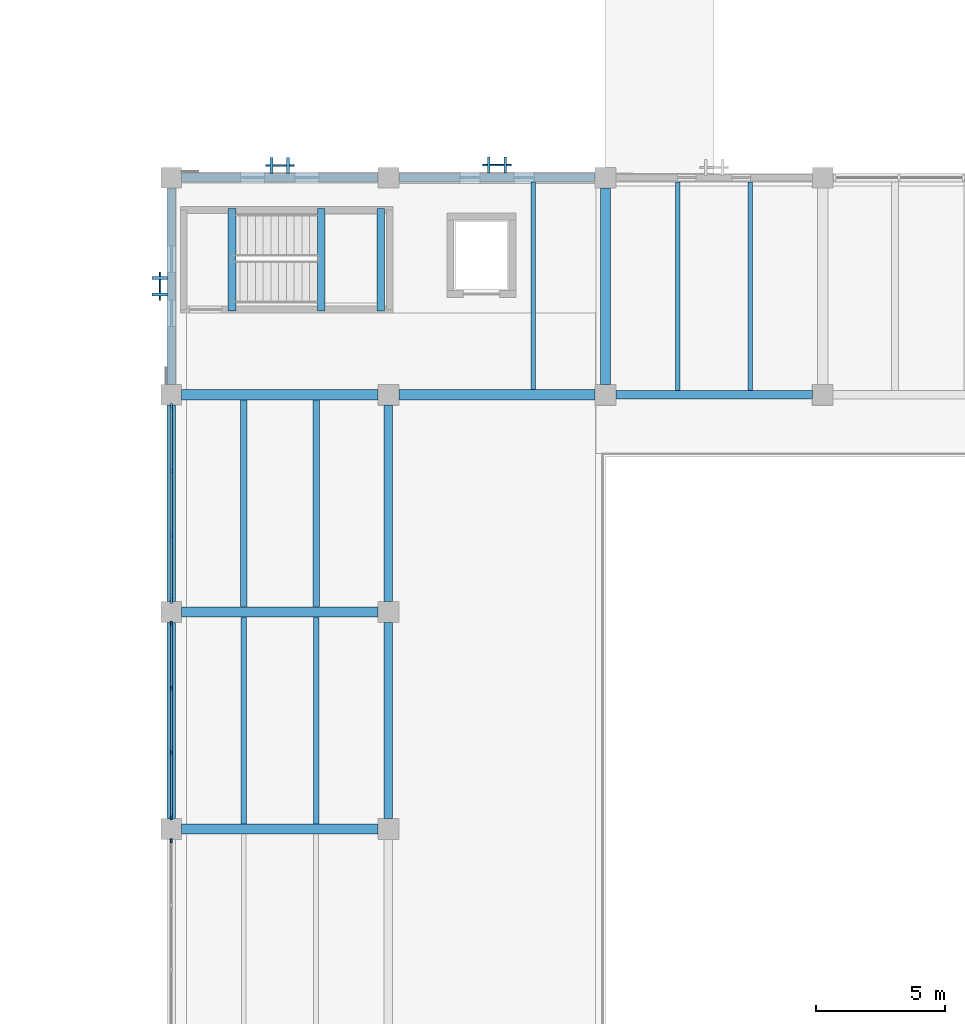
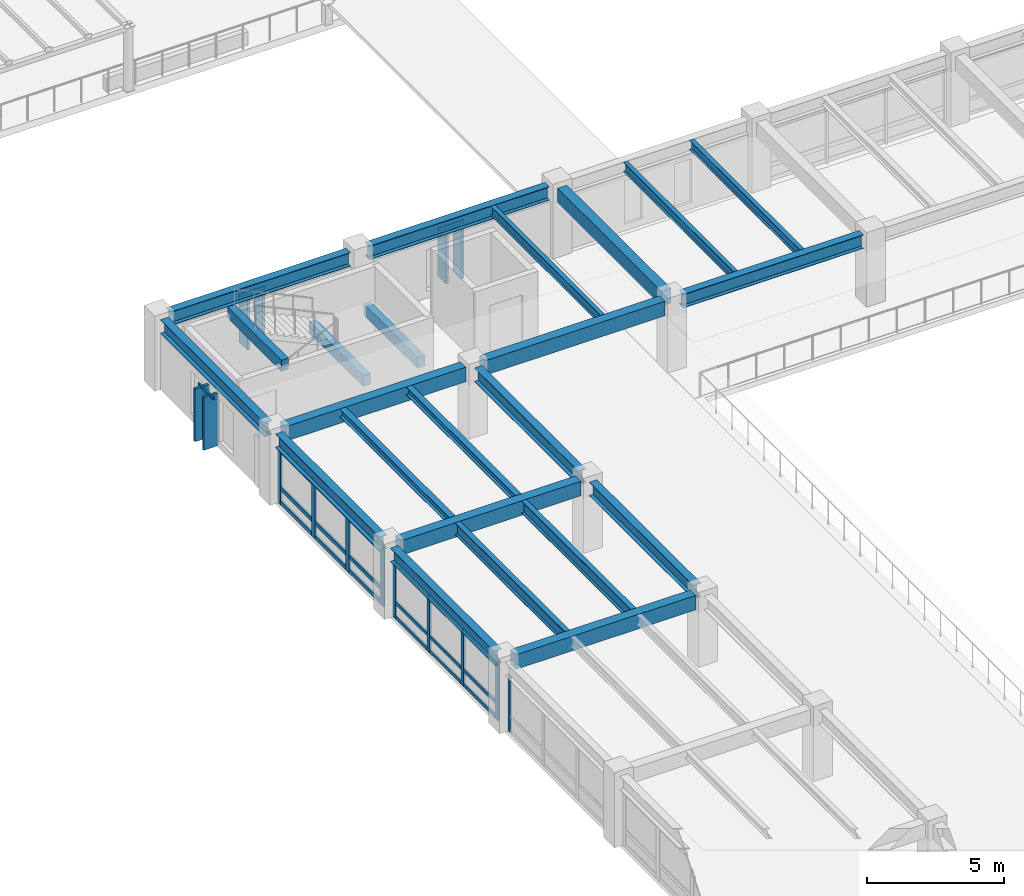
# One storey, part 10 of 111: 36 members, 23 beams, 6 elements without a shape of their own.
"""IFC4 building model written with IfcOpenShell, lengths in metres."""

from ifc_helpers import new_model, si_unit, direction, frame, origin, origin_2d, place, context, subcontext, project, spatial, rectangle, i_section, extrude, material, material_profile, profile_set, type_object, element, aggregate, save


model = new_model("IFC4")

# Units and contexts
model_context = context("Model", 3, precision=1e-05, world=origin(), true_north=direction((0.0, 1.0)))
body_context = subcontext(model_context, "Body", "Model", "MODEL_VIEW")
ifc_project = project(units=[si_unit("LENGTHUNIT", "METRE"), si_unit("AREAUNIT", "SQUARE_METRE"), si_unit("VOLUMEUNIT", "CUBIC_METRE"), si_unit("PLANEANGLEUNIT", "RADIAN"), si_unit("MASSUNIT", "GRAM", prefix="KILO")], contexts=[model_context])

# Site, building, storey
site_placement = place(None, origin())
site = spatial("IfcSite", under=ifc_project, at=site_placement, CompositionType="ELEMENT")
building_placement = place(site_placement, origin())
building = spatial("IfcBuilding", under=site, at=building_placement, Name="Cumbredor Promenade Congress Hotel", CompositionType="ELEMENT")
storey_placement = place(building_placement, frame((0.0, 0.0, 15.1201171875)))
storey = spatial("IfcBuildingStorey", under=building, at=storey_placement, Name="L04", CompositionType="ELEMENT", Elevation=15.1201171875)

# Beams
ifc_material_1 = material(Name="Concrete C40/50", Category="concrete")
ifc_material_profile_1 = material_profile(ifc_material_1, rectangle(XDim=0.39990234375, YDim=0.64990234375, at=origin_2d()), Name="RC BEAM 400x650")
ifc_profile_set_1 = profile_set([ifc_material_profile_1], Name="Concrete C40/50")
beam_type_1 = type_object("IfcBeamType", Name="BM-RC-400x650", PredefinedType="BEAM", material=ifc_profile_set_1)
for number, where, z_axis, x_axis, name in (
    (1, (8.800048828125, 42.0, 2.794921875), (1.0, 0.0, 0.0), (0.0, 1.0, 0.0), "L05 X-Grid Beam 016"),
    (2, (8.800048828125, 50.39990234375, 2.794921875), (1.0, 0.0, 0.0), (0.0, 1.0, 0.0), "L05 X-Grid Beam 018"),
    (3, (8.800048828125, 58.800048828125, 2.794921875), (1.0, 0.0, 0.0), (0.0, 1.0, 0.0), "L05 X-Grid Beam 020"),
):
    element("IfcBeam", number, at=place(storey_placement, frame(where, z_axis=z_axis, x_axis=x_axis)), inside=storey, type_object=beam_type_1, Name=name, PredefinedType="BEAM", context=body_context, shape_type="SweptSolid", body=[
        extrude(rectangle(XDim=0.39990234375, YDim=0.64990234375, at=origin_2d()), origin(), (0.0, 0.0, 1.0), 7.599853515625),
    ])
for number, where, z_axis, x_axis, name in (
    (4, (17.199951171875, 58.800048828125, 2.794921875), (1.0, 0.0, 0.0), (0.0, 1.0, 0.0), "L05 X-Grid Beam 037"),
    (5, (25.199951171875, 59.199951171875, 2.794921875), (0.0, 1.0, 0.0), (-1.0, 0.0, 0.0), "L05 Y-Grid Beam 048"),
):
    element("IfcBeam", number, at=place(storey_placement, frame(where, z_axis=z_axis, x_axis=x_axis)), inside=storey, type_object=beam_type_1, Name=name, PredefinedType="BEAM", context=body_context, shape_type="SweptSolid", body=[
        extrude(rectangle(XDim=0.39990234375, YDim=0.64990234375, at=origin_2d()), origin(), (0.0, 0.0, 1.0), 7.60009765625),
    ])
ifc_material_2 = material(Name="Steel ASTM A992 Grade 50", Category="steel")
ifc_material_profile_2 = material_profile(ifc_material_2, i_section(OverallWidth=0.323974609375, OverallDepth=0.611083984375, WebThickness=0.0126953125, FlangeThickness=0.01904296875, at=origin_2d()), Name="W24X104")
ifc_profile_set_2 = profile_set([ifc_material_profile_2], Name="Steel ASTM A992 Grade 50")
beam_type_2 = type_object("IfcBeamType", Name="BM-W24X104", PredefinedType="BEAM", material=ifc_profile_set_2)
beam_1_placement = place(storey_placement, frame((8.800048828125, 67.199951171875, 2.814453125), z_axis=(1.0, 0.0, 0.0), x_axis=(0.0, 1.0, 0.0)))
element("IfcBeam", 6, at=beam_1_placement, inside=storey, type_object=beam_type_2, Name="L05 X-Grid Beam 022", PredefinedType="BEAM", context=body_context, shape_type="SweptSolid", body=[
    extrude(i_section(OverallWidth=0.323974609375, OverallDepth=0.611083984375, WebThickness=0.0126953125, FlangeThickness=0.01904296875, at=origin_2d()), origin(), (0.0, 0.0, 1.0), 7.599853515625),
])
beam_2_placement = place(storey_placement, frame((17.199951171875, 67.199951171875, 2.814453125), z_axis=(1.0, 0.0, 0.0), x_axis=(0.0, 1.0, 0.0)))
element("IfcBeam", 7, at=beam_2_placement, inside=storey, type_object=beam_type_2, Name="L05 X-Grid Beam 038", PredefinedType="BEAM", context=body_context, shape_type="SweptSolid", body=[
    extrude(i_section(OverallWidth=0.323974609375, OverallDepth=0.611083984375, WebThickness=0.0126953125, FlangeThickness=0.01904296875, at=origin_2d()), origin(), (0.0, 0.0, 1.0), 7.60009765625),
])
beam_3_placement = place(storey_placement, frame((25.60009765625, 58.800048828125, 2.814453125), z_axis=(1.0, 0.0, 0.0), x_axis=(0.0, 1.0, 0.0)))
element("IfcBeam", 8, at=beam_3_placement, inside=storey, type_object=beam_type_2, Name="L05 X-Grid Beam 047", PredefinedType="BEAM", context=body_context, shape_type="SweptSolid", body=[
    extrude(i_section(OverallWidth=0.323974609375, OverallDepth=0.611083984375, WebThickness=0.0126953125, FlangeThickness=0.01904296875, at=origin_2d()), origin(), (0.0, 0.0, 1.0), 7.599853515625),
])

# Curtain wall, member
ifc_material_3 = material(Name="Thermally broken anodized aluminium and low-E glass", Category="aluminium")
curtain_wall_type_1 = type_object("IfcCurtainWallType", Name="Unitised Bronze Curtain Wall CW-01", PredefinedType="NOTDEFINED", material=ifc_material_3)
curtain_wall_1_placement = place(storey_placement, origin())
curtain_wall_1 = element("IfcCurtainWall", 9, at=curtain_wall_1_placement, inside=storey, type_object=curtain_wall_type_1, Name="L04 Plenary Congress Hall West Curtain Wall 4", PredefinedType="NOTDEFINED")
ifc_material_4 = material(Name="Thermally broken anodized aluminium", Category="aluminium")
ifc_material_profile_3 = material_profile(ifc_material_4, rectangle(XDim=0.06494140625, YDim=0.159912109375, at=origin_2d()), Name="ALU MULLION 65x160")
ifc_profile_set_3 = profile_set([ifc_material_profile_3], Name="Thermally broken anodized aluminium")
member_type_1 = type_object("IfcMemberType", Name="Curtain Wall Mullion ML-01", PredefinedType="MULLION", material=ifc_profile_set_3)
member_1_placement = place(storey_placement, frame((8.39990234375, 41.544921875, -0.008056640625), z_axis=(0.0, 0.0, 1.0), x_axis=(1.0, 0.0, 0.0)))
member_1 = element("IfcMember", 10, at=member_1_placement, type_object=member_type_1, Name="L04 Plenary Congress Hall West Curtain Wall 4 Mullion 4", PredefinedType="MULLION", context=body_context, shape_type="SweptSolid", body=[
    extrude(rectangle(XDim=0.06494140625, YDim=0.159912109375, at=origin_2d()), origin(), (0.0, 0.0, 1.0), 2.510009765625),
])
aggregate(curtain_wall_1, [member_1])

# Curtain wall, members
curtain_wall_2_placement = place(storey_placement, origin())
curtain_wall_2 = element("IfcCurtainWall", 11, at=curtain_wall_2_placement, inside=storey, type_object=curtain_wall_type_1, Name="L04 Plenary Congress Hall West Curtain Wall 5", PredefinedType="NOTDEFINED")
ifc_material_profile_4 = material_profile(ifc_material_4, rectangle(XDim=0.074951171875, YDim=0.199951171875, at=origin_2d()), Name="ALU MULLION 75x200")
ifc_profile_set_4 = profile_set([ifc_material_profile_4], Name="Thermally broken anodized aluminium")
member_type_2 = type_object("IfcMemberType", Name="Curtain Wall Mullion ML-02", PredefinedType="MULLION", material=ifc_profile_set_4)
member_2_placement = place(storey_placement, frame((8.39990234375, 42.455078125, -0.008056640625), z_axis=(0.0, 0.0, 1.0), x_axis=(1.0, 0.0, 0.0)))
member_2 = element("IfcMember", 12, at=member_2_placement, type_object=member_type_2, Name="L04 Plenary Congress Hall West Curtain Wall 5 Mullion 1", PredefinedType="MULLION", context=body_context, shape_type="SweptSolid", body=[
    extrude(rectangle(XDim=0.074951171875, YDim=0.199951171875, at=origin_2d()), origin(), (0.0, 0.0, 1.0), 2.510009765625),
])
member_3_placement = place(storey_placement, frame((8.39990234375, 44.95166015625, -0.008056640625), z_axis=(0.0, 0.0, 1.0), x_axis=(1.0, 0.0, 0.0)))
member_3 = element("IfcMember", 13, at=member_3_placement, type_object=member_type_2, Name="L04 Plenary Congress Hall West Curtain Wall 5 Mullion 2", PredefinedType="MULLION", context=body_context, shape_type="SweptSolid", body=[
    extrude(rectangle(XDim=0.074951171875, YDim=0.199951171875, at=origin_2d()), origin(), (0.0, 0.0, 1.0), 2.510009765625),
])
member_4_placement = place(storey_placement, frame((8.39990234375, 47.4482421875, -0.008056640625), z_axis=(0.0, 0.0, 1.0), x_axis=(1.0, 0.0, 0.0)))
member_4 = element("IfcMember", 14, at=member_4_placement, type_object=member_type_2, Name="L04 Plenary Congress Hall West Curtain Wall 5 Mullion 3", PredefinedType="MULLION", context=body_context, shape_type="SweptSolid", body=[
    extrude(rectangle(XDim=0.074951171875, YDim=0.199951171875, at=origin_2d()), origin(), (0.0, 0.0, 1.0), 2.510009765625),
])
member_5_placement = place(storey_placement, frame((8.39990234375, 49.945068359375, -0.008056640625), z_axis=(0.0, 0.0, 1.0), x_axis=(1.0, 0.0, 0.0)))
member_5 = element("IfcMember", 15, at=member_5_placement, type_object=member_type_2, Name="L04 Plenary Congress Hall West Curtain Wall 5 Mullion 4", PredefinedType="MULLION", context=body_context, shape_type="SweptSolid", body=[
    extrude(rectangle(XDim=0.074951171875, YDim=0.199951171875, at=origin_2d()), origin(), (0.0, 0.0, 1.0), 2.510009765625),
])

curtain_wall_3_placement = place(storey_placement, origin())
curtain_wall_3 = element("IfcCurtainWall", 16, at=curtain_wall_3_placement, inside=storey, type_object=curtain_wall_type_1, Name="L04 Plenary Congress Hall West Curtain Wall 6", PredefinedType="NOTDEFINED")
ifc_material_profile_5 = material_profile(ifc_material_4, rectangle(XDim=0.080078125, YDim=0.239990234375, at=origin_2d()), Name="ALU MULLION 80x240")
ifc_profile_set_5 = profile_set([ifc_material_profile_5], Name="Thermally broken anodized aluminium")
member_type_3 = type_object("IfcMemberType", Name="Curtain Wall Mullion ML-03", PredefinedType="MULLION", material=ifc_profile_set_5)
member_6_placement = place(storey_placement, frame((8.39990234375, 50.85498046875, -0.008056640625), z_axis=(0.0, 0.0, 1.0), x_axis=(1.0, 0.0, 0.0)))
member_6 = element("IfcMember", 17, at=member_6_placement, type_object=member_type_3, Name="L04 Plenary Congress Hall West Curtain Wall 6 Mullion 1", PredefinedType="MULLION", context=body_context, shape_type="SweptSolid", body=[
    extrude(rectangle(XDim=0.080078125, YDim=0.239990234375, at=origin_2d()), origin(), (0.0, 0.0, 1.0), 2.510009765625),
])
member_7_placement = place(storey_placement, frame((8.39990234375, 53.351806640625, -0.008056640625), z_axis=(0.0, 0.0, 1.0), x_axis=(1.0, 0.0, 0.0)))
member_7 = element("IfcMember", 18, at=member_7_placement, type_object=member_type_3, Name="L04 Plenary Congress Hall West Curtain Wall 6 Mullion 2", PredefinedType="MULLION", context=body_context, shape_type="SweptSolid", body=[
    extrude(rectangle(XDim=0.080078125, YDim=0.239990234375, at=origin_2d()), origin(), (0.0, 0.0, 1.0), 2.510009765625),
])
member_8_placement = place(storey_placement, frame((8.39990234375, 55.848388671875, -0.008056640625), z_axis=(0.0, 0.0, 1.0), x_axis=(1.0, 0.0, 0.0)))
member_8 = element("IfcMember", 19, at=member_8_placement, type_object=member_type_3, Name="L04 Plenary Congress Hall West Curtain Wall 6 Mullion 3", PredefinedType="MULLION", context=body_context, shape_type="SweptSolid", body=[
    extrude(rectangle(XDim=0.080078125, YDim=0.239990234375, at=origin_2d()), origin(), (0.0, 0.0, 1.0), 2.510009765625),
])
member_9_placement = place(storey_placement, frame((8.39990234375, 58.344970703125, -0.008056640625), z_axis=(0.0, 0.0, 1.0), x_axis=(1.0, 0.0, 0.0)))
member_9 = element("IfcMember", 20, at=member_9_placement, type_object=member_type_3, Name="L04 Plenary Congress Hall West Curtain Wall 6 Mullion 4", PredefinedType="MULLION", context=body_context, shape_type="SweptSolid", body=[
    extrude(rectangle(XDim=0.080078125, YDim=0.239990234375, at=origin_2d()), origin(), (0.0, 0.0, 1.0), 2.510009765625),
])

# Curtain wall, member
curtain_wall_type_2 = type_object("IfcCurtainWallType", Name="Solar Brise-Soleil Screen Assembly CW-07", PredefinedType="NOTDEFINED", material=ifc_material_3)
curtain_wall_4_placement = place(storey_placement, origin())
curtain_wall_4 = element("IfcCurtainWall", 21, at=curtain_wall_4_placement, inside=storey, type_object=curtain_wall_type_2, Name="L04 Pier Brise-Soleil Screen 0709", PredefinedType="NOTDEFINED")
ifc_material_profile_6 = material_profile(ifc_material_4, rectangle(XDim=0.06494140625, YDim=0.1298828125, at=origin_2d()), Name="ALU TRANSOM 65x130")
ifc_profile_set_6 = profile_set([ifc_material_profile_6], Name="Thermally broken anodized aluminium")
member_type_4 = type_object("IfcMemberType", Name="Curtain Wall Transom TR-01", PredefinedType="USERDEFINED", material=ifc_profile_set_6)
member_10_placement = place(storey_placement, frame((12.050048828125, 67.672607421875, 2.333984375), z_axis=(1.0, 0.0, 0.0), x_axis=(0.0, 1.0, 0.0)))
member_10 = element("IfcMember", 22, at=member_10_placement, type_object=member_type_4, Name="L04 Pier Brise-Soleil Header 0711", ObjectType="TRANSOM", PredefinedType="USERDEFINED", context=body_context, shape_type="SweptSolid", body=[
    extrude(rectangle(XDim=0.06494140625, YDim=0.1298828125, at=origin_2d()), origin(), (0.0, 0.0, 1.0), 1.099853515625),
])

curtain_wall_5_placement = place(storey_placement, origin())
curtain_wall_5 = element("IfcCurtainWall", 23, at=curtain_wall_5_placement, inside=storey, type_object=curtain_wall_type_2, Name="L04 Pier Brise-Soleil Screen 0712", PredefinedType="NOTDEFINED")
member_11_placement = place(storey_placement, frame((20.449951171875, 67.68505859375, 2.333984375), z_axis=(1.0, 0.0, 0.0), x_axis=(0.0, 1.0, 0.0)))
member_11 = element("IfcMember", 24, at=member_11_placement, type_object=member_type_4, Name="L04 Pier Brise-Soleil Header 0714", ObjectType="TRANSOM", PredefinedType="USERDEFINED", context=body_context, shape_type="SweptSolid", body=[
    extrude(rectangle(XDim=0.06494140625, YDim=0.1298828125, at=origin_2d()), origin(), (0.0, 0.0, 1.0), 1.10009765625),
])

curtain_wall_6_placement = place(storey_placement, origin())
curtain_wall_6 = element("IfcCurtainWall", 25, at=curtain_wall_6_placement, inside=storey, type_object=curtain_wall_type_2, Name="L04 Pier Brise-Soleil Screen 0727", PredefinedType="NOTDEFINED")
member_12_placement = place(storey_placement, frame((7.965087890625, 62.449951171875, 2.333984375), z_axis=(0.0, 1.0, 0.0), x_axis=(-1.0, 0.0, 0.0)))
member_12 = element("IfcMember", 26, at=member_12_placement, type_object=member_type_4, Name="L04 Pier Brise-Soleil Header 0729", ObjectType="TRANSOM", PredefinedType="USERDEFINED", context=body_context, shape_type="SweptSolid", body=[
    extrude(rectangle(XDim=0.06494140625, YDim=0.1298828125, at=origin_2d()), origin(), (0.0, 0.0, 1.0), 1.10009765625),
])

# Member
ifc_material_profile_7 = material_profile(ifc_material_4, rectangle(XDim=0.074951171875, YDim=0.14990234375, at=origin_2d()), Name="ALU TRANSOM 75x150")
ifc_profile_set_7 = profile_set([ifc_material_profile_7], Name="Thermally broken anodized aluminium")
member_type_5 = type_object("IfcMemberType", Name="Curtain Wall Transom TR-02", PredefinedType="USERDEFINED", material=ifc_profile_set_7)
member_13_placement = place(storey_placement, frame((8.39990234375, 42.492431640625, 0.06982421875), z_axis=(0.0, 1.0, 0.0), x_axis=(-1.0, 0.0, 0.0)))
member_13 = element("IfcMember", 27, at=member_13_placement, type_object=member_type_5, Name="L04 Plenary Congress Hall West Curtain Wall 5 Transom 1.1", ObjectType="TRANSOM", PredefinedType="USERDEFINED", context=body_context, shape_type="SweptSolid", body=[
    extrude(rectangle(XDim=0.074951171875, YDim=0.14990234375, at=origin_2d()), origin(), (0.0, 0.0, 1.0), 2.421875),
])

member_14_placement = place(storey_placement, frame((8.39990234375, 42.492431640625, 0.719970703125), z_axis=(0.0, 1.0, 0.0), x_axis=(-1.0, 0.0, 0.0)))
member_14 = element("IfcMember", 28, at=member_14_placement, type_object=member_type_5, Name="L04 Plenary Congress Hall West Curtain Wall 5 Transom 1.2", ObjectType="TRANSOM", PredefinedType="USERDEFINED", context=body_context, shape_type="SweptSolid", body=[
    extrude(rectangle(XDim=0.074951171875, YDim=0.14990234375, at=origin_2d()), origin(), (0.0, 0.0, 1.0), 2.421875),
])

member_15_placement = place(storey_placement, frame((8.39990234375, 42.492431640625, 2.419921875), z_axis=(0.0, 1.0, 0.0), x_axis=(-1.0, 0.0, 0.0)))
member_15 = element("IfcMember", 29, at=member_15_placement, type_object=member_type_5, Name="L04 Plenary Congress Hall West Curtain Wall 5 Transom 1.3", ObjectType="TRANSOM", PredefinedType="USERDEFINED", context=body_context, shape_type="SweptSolid", body=[
    extrude(rectangle(XDim=0.074951171875, YDim=0.14990234375, at=origin_2d()), origin(), (0.0, 0.0, 1.0), 2.421875),
])

member_16_placement = place(storey_placement, frame((8.39990234375, 44.9892578125, 0.06982421875), z_axis=(0.0, 1.0, 0.0), x_axis=(-1.0, 0.0, 0.0)))
member_16 = element("IfcMember", 30, at=member_16_placement, type_object=member_type_5, Name="L04 Plenary Congress Hall West Curtain Wall 5 Transom 2.1", ObjectType="TRANSOM", PredefinedType="USERDEFINED", context=body_context, shape_type="SweptSolid", body=[
    extrude(rectangle(XDim=0.074951171875, YDim=0.14990234375, at=origin_2d()), origin(), (0.0, 0.0, 1.0), 2.421630859375),
])

member_17_placement = place(storey_placement, frame((8.39990234375, 44.9892578125, 0.719970703125), z_axis=(0.0, 1.0, 0.0), x_axis=(-1.0, 0.0, 0.0)))
member_17 = element("IfcMember", 31, at=member_17_placement, type_object=member_type_5, Name="L04 Plenary Congress Hall West Curtain Wall 5 Transom 2.2", ObjectType="TRANSOM", PredefinedType="USERDEFINED", context=body_context, shape_type="SweptSolid", body=[
    extrude(rectangle(XDim=0.074951171875, YDim=0.14990234375, at=origin_2d()), origin(), (0.0, 0.0, 1.0), 2.421630859375),
])

member_18_placement = place(storey_placement, frame((8.39990234375, 44.9892578125, 2.419921875), z_axis=(0.0, 1.0, 0.0), x_axis=(-1.0, 0.0, 0.0)))
member_18 = element("IfcMember", 32, at=member_18_placement, type_object=member_type_5, Name="L04 Plenary Congress Hall West Curtain Wall 5 Transom 2.3", ObjectType="TRANSOM", PredefinedType="USERDEFINED", context=body_context, shape_type="SweptSolid", body=[
    extrude(rectangle(XDim=0.074951171875, YDim=0.14990234375, at=origin_2d()), origin(), (0.0, 0.0, 1.0), 2.421630859375),
])

member_19_placement = place(storey_placement, frame((8.39990234375, 47.48583984375, 0.06982421875), z_axis=(0.0, 1.0, 0.0), x_axis=(-1.0, 0.0, 0.0)))
member_19 = element("IfcMember", 33, at=member_19_placement, type_object=member_type_5, Name="L04 Plenary Congress Hall West Curtain Wall 5 Transom 3.1", ObjectType="TRANSOM", PredefinedType="USERDEFINED", context=body_context, shape_type="SweptSolid", body=[
    extrude(rectangle(XDim=0.074951171875, YDim=0.14990234375, at=origin_2d()), origin(), (0.0, 0.0, 1.0), 2.421630859375),
])

member_20_placement = place(storey_placement, frame((8.39990234375, 47.48583984375, 0.719970703125), z_axis=(0.0, 1.0, 0.0), x_axis=(-1.0, 0.0, 0.0)))
member_20 = element("IfcMember", 34, at=member_20_placement, type_object=member_type_5, Name="L04 Plenary Congress Hall West Curtain Wall 5 Transom 3.2", ObjectType="TRANSOM", PredefinedType="USERDEFINED", context=body_context, shape_type="SweptSolid", body=[
    extrude(rectangle(XDim=0.074951171875, YDim=0.14990234375, at=origin_2d()), origin(), (0.0, 0.0, 1.0), 2.421630859375),
])

member_21_placement = place(storey_placement, frame((8.39990234375, 47.48583984375, 2.419921875), z_axis=(0.0, 1.0, 0.0), x_axis=(-1.0, 0.0, 0.0)))
member_21 = element("IfcMember", 35, at=member_21_placement, type_object=member_type_5, Name="L04 Plenary Congress Hall West Curtain Wall 5 Transom 3.3", ObjectType="TRANSOM", PredefinedType="USERDEFINED", context=body_context, shape_type="SweptSolid", body=[
    extrude(rectangle(XDim=0.074951171875, YDim=0.14990234375, at=origin_2d()), origin(), (0.0, 0.0, 1.0), 2.421630859375),
])

aggregate(curtain_wall_2, [member_2, member_3, member_4, member_5, member_13, member_14, member_15, member_16, member_17, member_18, member_19, member_20, member_21])

ifc_material_profile_8 = material_profile(ifc_material_4, rectangle(XDim=0.080078125, YDim=0.179931640625, at=origin_2d()), Name="ALU TRANSOM 80x180")
ifc_profile_set_8 = profile_set([ifc_material_profile_8], Name="Thermally broken anodized aluminium")
member_type_6 = type_object("IfcMemberType", Name="Curtain Wall Transom TR-03", PredefinedType="USERDEFINED", material=ifc_profile_set_8)
member_22_placement = place(storey_placement, frame((8.39990234375, 50.89501953125, 0.08984375), z_axis=(0.0, 1.0, 0.0), x_axis=(-1.0, 0.0, 0.0)))
member_22 = element("IfcMember", 36, at=member_22_placement, type_object=member_type_6, Name="L04 Plenary Congress Hall West Curtain Wall 6 Transom 1.1", ObjectType="TRANSOM", PredefinedType="USERDEFINED", context=body_context, shape_type="SweptSolid", body=[
    extrude(rectangle(XDim=0.080078125, YDim=0.179931640625, at=origin_2d()), origin(), (0.0, 0.0, 1.0), 2.416748046875),
])

member_23_placement = place(storey_placement, frame((8.39990234375, 50.89501953125, 0.719970703125), z_axis=(0.0, 1.0, 0.0), x_axis=(-1.0, 0.0, 0.0)))
member_23 = element("IfcMember", 37, at=member_23_placement, type_object=member_type_6, Name="L04 Plenary Congress Hall West Curtain Wall 6 Transom 1.2", ObjectType="TRANSOM", PredefinedType="USERDEFINED", context=body_context, shape_type="SweptSolid", body=[
    extrude(rectangle(XDim=0.080078125, YDim=0.179931640625, at=origin_2d()), origin(), (0.0, 0.0, 1.0), 2.416748046875),
])

member_24_placement = place(storey_placement, frame((8.39990234375, 50.89501953125, 2.39990234375), z_axis=(0.0, 1.0, 0.0), x_axis=(-1.0, 0.0, 0.0)))
member_24 = element("IfcMember", 38, at=member_24_placement, type_object=member_type_6, Name="L04 Plenary Congress Hall West Curtain Wall 6 Transom 1.3", ObjectType="TRANSOM", PredefinedType="USERDEFINED", context=body_context, shape_type="SweptSolid", body=[
    extrude(rectangle(XDim=0.080078125, YDim=0.179931640625, at=origin_2d()), origin(), (0.0, 0.0, 1.0), 2.416748046875),
])

member_25_placement = place(storey_placement, frame((8.39990234375, 53.3916015625, 0.08984375), z_axis=(0.0, 1.0, 0.0), x_axis=(-1.0, 0.0, 0.0)))
member_25 = element("IfcMember", 39, at=member_25_placement, type_object=member_type_6, Name="L04 Plenary Congress Hall West Curtain Wall 6 Transom 2.1", ObjectType="TRANSOM", PredefinedType="USERDEFINED", context=body_context, shape_type="SweptSolid", body=[
    extrude(rectangle(XDim=0.080078125, YDim=0.179931640625, at=origin_2d()), origin(), (0.0, 0.0, 1.0), 2.416748046875),
])

member_26_placement = place(storey_placement, frame((8.39990234375, 53.3916015625, 0.719970703125), z_axis=(0.0, 1.0, 0.0), x_axis=(-1.0, 0.0, 0.0)))
member_26 = element("IfcMember", 40, at=member_26_placement, type_object=member_type_6, Name="L04 Plenary Congress Hall West Curtain Wall 6 Transom 2.2", ObjectType="TRANSOM", PredefinedType="USERDEFINED", context=body_context, shape_type="SweptSolid", body=[
    extrude(rectangle(XDim=0.080078125, YDim=0.179931640625, at=origin_2d()), origin(), (0.0, 0.0, 1.0), 2.416748046875),
])

member_27_placement = place(storey_placement, frame((8.39990234375, 53.3916015625, 2.39990234375), z_axis=(0.0, 1.0, 0.0), x_axis=(-1.0, 0.0, 0.0)))
member_27 = element("IfcMember", 41, at=member_27_placement, type_object=member_type_6, Name="L04 Plenary Congress Hall West Curtain Wall 6 Transom 2.3", ObjectType="TRANSOM", PredefinedType="USERDEFINED", context=body_context, shape_type="SweptSolid", body=[
    extrude(rectangle(XDim=0.080078125, YDim=0.179931640625, at=origin_2d()), origin(), (0.0, 0.0, 1.0), 2.416748046875),
])

member_28_placement = place(storey_placement, frame((8.39990234375, 55.88818359375, 0.08984375), z_axis=(0.0, 1.0, 0.0), x_axis=(-1.0, 0.0, 0.0)))
member_28 = element("IfcMember", 42, at=member_28_placement, type_object=member_type_6, Name="L04 Plenary Congress Hall West Curtain Wall 6 Transom 3.1", ObjectType="TRANSOM", PredefinedType="USERDEFINED", context=body_context, shape_type="SweptSolid", body=[
    extrude(rectangle(XDim=0.080078125, YDim=0.179931640625, at=origin_2d()), origin(), (0.0, 0.0, 1.0), 2.416748046875),
])

member_29_placement = place(storey_placement, frame((8.39990234375, 55.88818359375, 0.719970703125), z_axis=(0.0, 1.0, 0.0), x_axis=(-1.0, 0.0, 0.0)))
member_29 = element("IfcMember", 43, at=member_29_placement, type_object=member_type_6, Name="L04 Plenary Congress Hall West Curtain Wall 6 Transom 3.2", ObjectType="TRANSOM", PredefinedType="USERDEFINED", context=body_context, shape_type="SweptSolid", body=[
    extrude(rectangle(XDim=0.080078125, YDim=0.179931640625, at=origin_2d()), origin(), (0.0, 0.0, 1.0), 2.416748046875),
])

member_30_placement = place(storey_placement, frame((8.39990234375, 55.88818359375, 2.39990234375), z_axis=(0.0, 1.0, 0.0), x_axis=(-1.0, 0.0, 0.0)))
member_30 = element("IfcMember", 44, at=member_30_placement, type_object=member_type_6, Name="L04 Plenary Congress Hall West Curtain Wall 6 Transom 3.3", ObjectType="TRANSOM", PredefinedType="USERDEFINED", context=body_context, shape_type="SweptSolid", body=[
    extrude(rectangle(XDim=0.080078125, YDim=0.179931640625, at=origin_2d()), origin(), (0.0, 0.0, 1.0), 2.416748046875),
])

aggregate(curtain_wall_3, [member_6, member_7, member_8, member_9, member_22, member_23, member_24, member_25, member_26, member_27, member_28, member_29, member_30])

# Beams
ifc_material_profile_9 = material_profile(ifc_material_2, i_section(OverallWidth=0.2548828125, OverallDepth=0.35693359375, WebThickness=0.010498046875, FlangeThickness=0.018310546875, at=origin_2d()), Name="W14X68")
ifc_profile_set_9 = profile_set([ifc_material_profile_9], Name="Steel ASTM A992 Grade 50")
beam_type_3 = type_object("IfcBeamType", Name="JST-W14X68", PredefinedType="JOIST", material=ifc_profile_set_9)
for number, where, z_axis, x_axis, name in (
    (45, (11.199951171875, 50.60009765625, 2.94140625), (0.0, 1.0, 0.0), (-1.0, 0.0, 0.0), "L05 Secondary Floor Joist 0015"),
    (46, (14.0, 50.60009765625, 2.94140625), (0.0, 1.0, 0.0), (-1.0, 0.0, 0.0), "L05 Secondary Floor Joist 0016"),
):
    element("IfcBeam", number, at=place(storey_placement, frame(where, z_axis=z_axis, x_axis=x_axis)), inside=storey, type_object=beam_type_3, Name=name, PredefinedType="JOIST", context=body_context, shape_type="SweptSolid", body=[
        extrude(i_section(OverallWidth=0.2548828125, OverallDepth=0.35693359375, WebThickness=0.010498046875, FlangeThickness=0.018310546875, at=origin_2d()), origin(), (0.0, 0.0, 1.0), 8.0),
    ])
ifc_material_profile_10 = material_profile(ifc_material_2, i_section(OverallWidth=0.180908203125, OverallDepth=0.4169921875, WebThickness=0.010986328125, FlangeThickness=0.018310546875, at=origin_2d()), Name="W16X57")
ifc_profile_set_10 = profile_set([ifc_material_profile_10], Name="Steel ASTM A992 Grade 50")
beam_type_4 = type_object("IfcBeamType", Name="JST-W16X57", PredefinedType="JOIST", material=ifc_profile_set_10)
beam_4_placement = place(storey_placement, frame((22.39990234375, 59.0, 2.911376953125), z_axis=(0.0, 1.0, 0.0), x_axis=(-1.0, 0.0, 0.0)))
element("IfcBeam", 47, at=beam_4_placement, inside=storey, type_object=beam_type_4, Name="L05 Secondary Floor Joist 0021", PredefinedType="JOIST", context=body_context, shape_type="SweptSolid", body=[
    extrude(i_section(OverallWidth=0.180908203125, OverallDepth=0.4169921875, WebThickness=0.010986328125, FlangeThickness=0.018310546875, at=origin_2d()), origin(), (0.0, 0.0, 1.0), 8.0380859375),
])
for number, where, z_axis, x_axis, name in (
    (48, (28.0, 58.9619140625, 2.911376953125), (0.0, 1.0, 0.0), (-1.0, 0.0, 0.0), "L05 Secondary Floor Joist 0026"),
    (49, (30.800048828125, 58.9619140625, 2.911376953125), (0.0, 1.0, 0.0), (-1.0, 0.0, 0.0), "L05 Secondary Floor Joist 0027"),
):
    element("IfcBeam", number, at=place(storey_placement, frame(where, z_axis=z_axis, x_axis=x_axis)), inside=storey, type_object=beam_type_4, Name=name, PredefinedType="JOIST", context=body_context, shape_type="SweptSolid", body=[
        extrude(i_section(OverallWidth=0.180908203125, OverallDepth=0.4169921875, WebThickness=0.010986328125, FlangeThickness=0.018310546875, at=origin_2d()), origin(), (0.0, 0.0, 1.0), 8.076171875),
    ])
ifc_material_profile_11 = material_profile(ifc_material_2, i_section(OverallWidth=0.214111328125, OverallDepth=0.549072265625, WebThickness=0.0146484375, FlangeThickness=0.023681640625, at=origin_2d()), Name="W21X93")
ifc_profile_set_11 = profile_set([ifc_material_profile_11], Name="Steel ASTM A992 Grade 50")
beam_type_5 = type_object("IfcBeamType", Name="JST-W21X93", PredefinedType="JOIST", material=ifc_profile_set_11)
for number, where, z_axis, x_axis, name in (
    (50, (11.199951171875, 42.199951171875, 2.845458984375), (0.0, 1.0, 0.0), (-1.0, 0.0, 0.0), "L05 Secondary Floor Joist 0013"),
    (51, (14.0, 42.199951171875, 2.845458984375), (0.0, 1.0, 0.0), (-1.0, 0.0, 0.0), "L05 Secondary Floor Joist 0014"),
):
    element("IfcBeam", number, at=place(storey_placement, frame(where, z_axis=z_axis, x_axis=x_axis)), inside=storey, type_object=beam_type_5, Name=name, PredefinedType="JOIST", context=body_context, shape_type="SweptSolid", body=[
        extrude(i_section(OverallWidth=0.214111328125, OverallDepth=0.549072265625, WebThickness=0.0146484375, FlangeThickness=0.023681640625, at=origin_2d()), origin(), (0.0, 0.0, 1.0), 8.0),
    ])
ifc_material_profile_12 = material_profile(ifc_material_1, rectangle(XDim=0.300048828125, YDim=0.5, at=origin_2d()), Name="RC LINTEL 300x500")
ifc_profile_set_12 = profile_set([ifc_material_profile_12], Name="Concrete C40/50")
beam_type_6 = type_object("IfcBeamType", Name="LN-RC-300x500", PredefinedType="LINTEL", material=ifc_profile_set_12)
for number, where, z_axis, x_axis, name in (
    (52, (16.5, 62.050048828125, 1.22998046875), (0.0, 1.0, 0.0), (-1.0, 0.0, 0.0), "L04 Stair ST-06 Landing Ledger Beam E"),
    (53, (14.199951171875, 62.050048828125, 1.22998046875), (0.0, 1.0, 0.0), (-1.0, 0.0, 0.0), "L04 Stair ST-06 Landing Ledger Beam W"),
    (54, (10.75, 62.050048828125, 3.10986328125), (0.0, 1.0, 0.0), (-1.0, 0.0, 0.0), "L05 Stair ST-06 Well Header Trimmer Beam"),
):
    element("IfcBeam", number, at=place(storey_placement, frame(where, z_axis=z_axis, x_axis=x_axis)), inside=storey, type_object=beam_type_6, Name=name, PredefinedType="LINTEL", context=body_context, shape_type="SweptSolid", body=[
        extrude(rectangle(XDim=0.300048828125, YDim=0.5, at=origin_2d()), origin(), (0.0, 0.0, 1.0), 3.949951171875),
    ])
ifc_material_profile_13 = material_profile(ifc_material_2, i_section(OverallWidth=0.323974609375, OverallDepth=0.611083984375, WebThickness=0.0126953125, FlangeThickness=0.01904296875, at=origin_2d()), Name="W24X104")
ifc_profile_set_13 = profile_set([ifc_material_profile_13], Name="Steel ASTM A992 Grade 50")
beam_type_7 = type_object("IfcBeamType", Name="SP-W24X104", PredefinedType="SPANDREL", material=ifc_profile_set_13)
beam_5_placement = place(storey_placement, frame((8.39990234375, 42.39990234375, 2.814453125), z_axis=(0.0, 1.0, 0.0), x_axis=(-1.0, 0.0, 0.0)))
element("IfcBeam", 55, at=beam_5_placement, inside=storey, type_object=beam_type_7, Name="L05 Y-Grid Beam 017", PredefinedType="SPANDREL", context=body_context, shape_type="SweptSolid", body=[
    extrude(i_section(OverallWidth=0.323974609375, OverallDepth=0.611083984375, WebThickness=0.0126953125, FlangeThickness=0.01904296875, at=origin_2d()), origin(), (0.0, 0.0, 1.0), 7.60009765625),
])
beam_6_placement = place(storey_placement, frame((8.39990234375, 50.800048828125, 2.814453125), z_axis=(0.0, 1.0, 0.0), x_axis=(-1.0, 0.0, 0.0)))
element("IfcBeam", 56, at=beam_6_placement, inside=storey, type_object=beam_type_7, Name="L05 Y-Grid Beam 019", PredefinedType="SPANDREL", context=body_context, shape_type="SweptSolid", body=[
    extrude(i_section(OverallWidth=0.323974609375, OverallDepth=0.611083984375, WebThickness=0.0126953125, FlangeThickness=0.01904296875, at=origin_2d()), origin(), (0.0, 0.0, 1.0), 7.599853515625),
])
for number, where, z_axis, x_axis, name in (
    (57, (8.39990234375, 59.199951171875, 2.814453125), (0.0, 1.0, 0.0), (-1.0, 0.0, 0.0), "L05 Y-Grid Beam 021"),
    (58, (16.800048828125, 42.39990234375, 2.814453125), (0.0, 1.0, 0.0), (-1.0, 0.0, 0.0), "L05 Y-Grid Beam 035"),
):
    element("IfcBeam", number, at=place(storey_placement, frame(where, z_axis=z_axis, x_axis=x_axis)), inside=storey, type_object=beam_type_7, Name=name, PredefinedType="SPANDREL", context=body_context, shape_type="SweptSolid", body=[
        extrude(i_section(OverallWidth=0.323974609375, OverallDepth=0.611083984375, WebThickness=0.0126953125, FlangeThickness=0.01904296875, at=origin_2d()), origin(), (0.0, 0.0, 1.0), 7.60009765625),
    ])
beam_7_placement = place(storey_placement, frame((16.800048828125, 50.800048828125, 2.814453125), z_axis=(0.0, 1.0, 0.0), x_axis=(-1.0, 0.0, 0.0)))
element("IfcBeam", 59, at=beam_7_placement, inside=storey, type_object=beam_type_7, Name="L05 Y-Grid Beam 036", PredefinedType="SPANDREL", context=body_context, shape_type="SweptSolid", body=[
    extrude(i_section(OverallWidth=0.323974609375, OverallDepth=0.611083984375, WebThickness=0.0126953125, FlangeThickness=0.01904296875, at=origin_2d()), origin(), (0.0, 0.0, 1.0), 7.599853515625),
])

# Member
ifc_material_profile_14 = material_profile(ifc_material_4, rectangle(XDim=0.110107421875, YDim=0.6201171875, at=origin_2d()), Name="ARCH FIN 110x620")
ifc_profile_set_14 = profile_set([ifc_material_profile_14], Name="Thermally broken anodized aluminium")
member_type_7 = type_object("IfcMemberType", Name="Vertical Bronze Brise-Soleil Fin BSF-02 110x620", PredefinedType="USERDEFINED", material=ifc_profile_set_14)
member_31_placement = place(storey_placement, frame((12.280029296875, 67.672607421875, 0.019775390625), z_axis=(0.0, 0.0, 1.0), x_axis=(1.0, 0.0, 0.0)))
member_31 = element("IfcMember", 60, at=member_31_placement, type_object=member_type_7, Name="L04 Pier Brise-Soleil Fin 0710", ObjectType="SOLAR FIN", PredefinedType="USERDEFINED", context=body_context, shape_type="SweptSolid", body=[
    extrude(rectangle(XDim=0.110107421875, YDim=0.6201171875, at=origin_2d()), origin(), (0.0, 0.0, 1.0), 2.35400390625),
])

member_32_placement = place(storey_placement, frame((12.919921875, 67.672607421875, 0.019775390625), z_axis=(0.0, 0.0, 1.0), x_axis=(1.0, 0.0, 0.0)))
member_32 = element("IfcMember", 61, at=member_32_placement, type_object=member_type_7, Name="L04 Pier Brise-Soleil Fin 0711", ObjectType="SOLAR FIN", PredefinedType="USERDEFINED", context=body_context, shape_type="SweptSolid", body=[
    extrude(rectangle(XDim=0.110107421875, YDim=0.6201171875, at=origin_2d()), origin(), (0.0, 0.0, 1.0), 2.35400390625),
])

aggregate(curtain_wall_4, [member_31, member_32, member_10])

member_33_placement = place(storey_placement, frame((20.679931640625, 67.68505859375, 0.019775390625), z_axis=(0.0, 0.0, 1.0), x_axis=(1.0, 0.0, 0.0)))
member_33 = element("IfcMember", 62, at=member_33_placement, type_object=member_type_7, Name="L04 Pier Brise-Soleil Fin 0713", ObjectType="SOLAR FIN", PredefinedType="USERDEFINED", context=body_context, shape_type="SweptSolid", body=[
    extrude(rectangle(XDim=0.110107421875, YDim=0.6201171875, at=origin_2d()), origin(), (0.0, 0.0, 1.0), 2.35400390625),
])

member_34_placement = place(storey_placement, frame((21.320068359375, 67.68505859375, 0.019775390625), z_axis=(0.0, 0.0, 1.0), x_axis=(1.0, 0.0, 0.0)))
member_34 = element("IfcMember", 63, at=member_34_placement, type_object=member_type_7, Name="L04 Pier Brise-Soleil Fin 0714", ObjectType="SOLAR FIN", PredefinedType="USERDEFINED", context=body_context, shape_type="SweptSolid", body=[
    extrude(rectangle(XDim=0.110107421875, YDim=0.6201171875, at=origin_2d()), origin(), (0.0, 0.0, 1.0), 2.35400390625),
])

aggregate(curtain_wall_5, [member_33, member_34, member_11])

member_35_placement = place(storey_placement, frame((7.965087890625, 62.679931640625, 0.019775390625), z_axis=(0.0, 0.0, 1.0), x_axis=(0.0, 1.0, 0.0)))
member_35 = element("IfcMember", 64, at=member_35_placement, type_object=member_type_7, Name="L04 Pier Brise-Soleil Fin 0728", ObjectType="SOLAR FIN", PredefinedType="USERDEFINED", context=body_context, shape_type="SweptSolid", body=[
    extrude(rectangle(XDim=0.110107421875, YDim=0.6201171875, at=origin_2d()), origin(), (0.0, 0.0, 1.0), 2.35400390625),
])

member_36_placement = place(storey_placement, frame((7.965087890625, 63.320068359375, 0.019775390625), z_axis=(0.0, 0.0, 1.0), x_axis=(0.0, 1.0, 0.0)))
member_36 = element("IfcMember", 65, at=member_36_placement, type_object=member_type_7, Name="L04 Pier Brise-Soleil Fin 0729", ObjectType="SOLAR FIN", PredefinedType="USERDEFINED", context=body_context, shape_type="SweptSolid", body=[
    extrude(rectangle(XDim=0.110107421875, YDim=0.6201171875, at=origin_2d()), origin(), (0.0, 0.0, 1.0), 2.35400390625),
])

aggregate(curtain_wall_6, [member_35, member_36, member_12])

save(model, "model.ifc")
